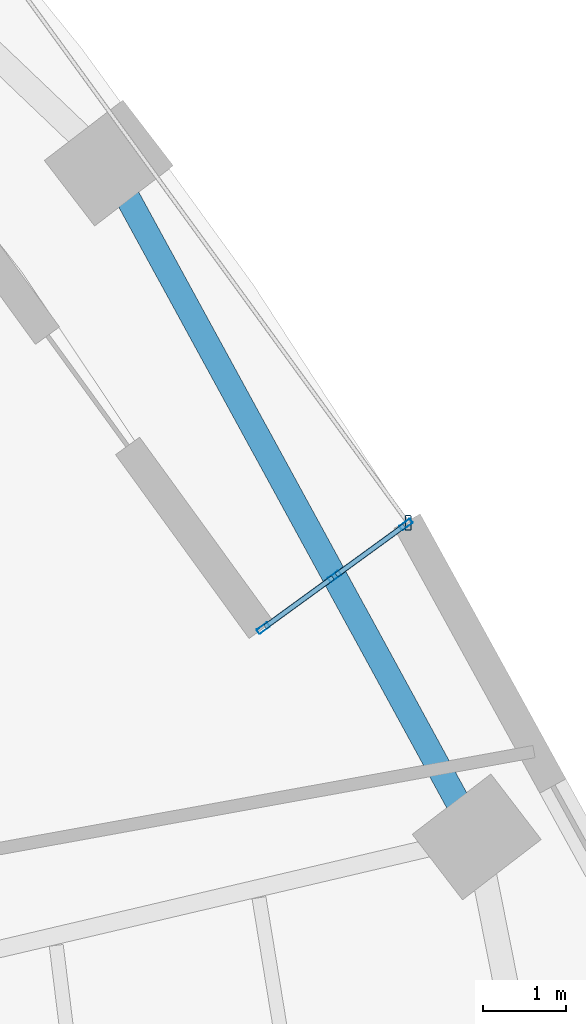
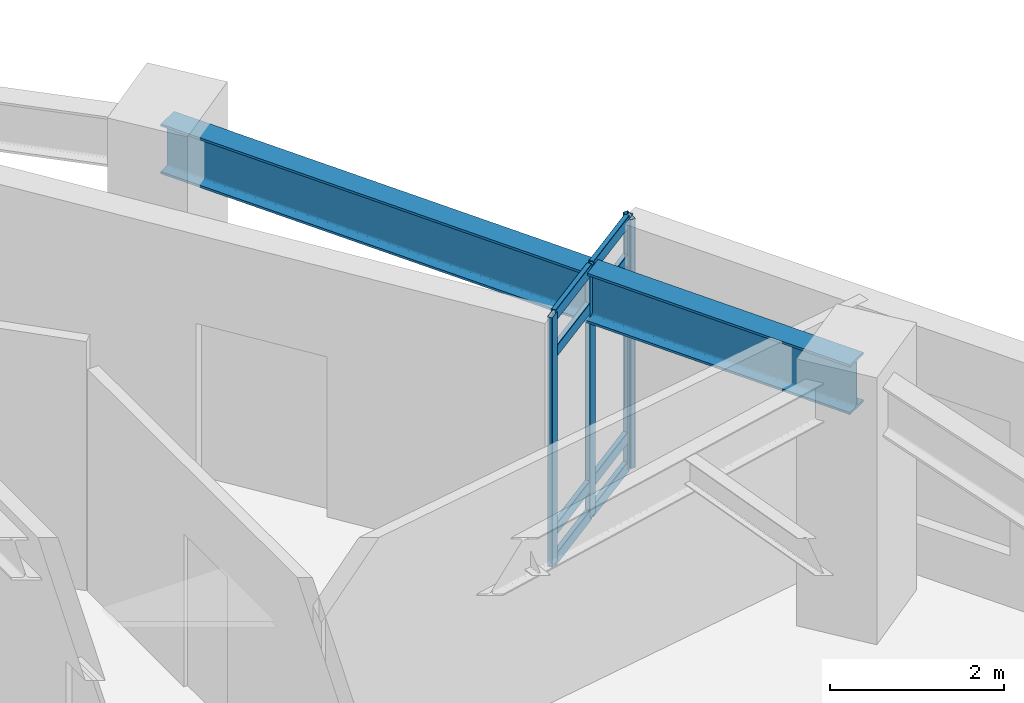
# One storey, part 4 of 15: 12 members, 1 beam, 1 element without a shape of its own.
"""IFC4 building model written with IfcOpenShell, lengths in metres."""

from ifc_helpers import new_model, si_unit, direction, frame, origin, origin_2d, place, context, subcontext, project, spatial, hollow_rectangle, i_section, extrude, material, layer, layer_set, material_profile, profile_set, type_object, element, aggregate, save


model = new_model("IFC4")

# Units and contexts
model_context = context("Model", 3, precision=1e-05, world=origin(), true_north=direction((0.0, 1.0)))
body_context = subcontext(model_context, "Body", "Model", "MODEL_VIEW")
ifc_project = project(units=[si_unit("LENGTHUNIT", "METRE"), si_unit("AREAUNIT", "SQUARE_METRE"), si_unit("VOLUMEUNIT", "CUBIC_METRE"), si_unit("PLANEANGLEUNIT", "RADIAN"), si_unit("MASSUNIT", "GRAM", prefix="KILO")], contexts=[model_context])

# Site, building, storey
site_placement = place(None, origin())
site = spatial("IfcSite", under=ifc_project, at=site_placement, CompositionType="ELEMENT")
building_placement = place(site_placement, origin())
building = spatial("IfcBuilding", under=site, at=building_placement, Name="Ndelora Gate Hotel", CompositionType="ELEMENT")
storey_placement = place(building_placement, frame((0.0, 0.0, 53.0)))
storey = spatial("IfcBuildingStorey", under=building, at=storey_placement, Name="L12", CompositionType="ELEMENT", Elevation=53.0)

# Beam
ifc_material_1 = material(Name="Steel S355", Category="steel")
ifc_material_profile_1 = material_profile(ifc_material_1, i_section(OverallWidth=0.300048828125, OverallDepth=0.699951171875, WebThickness=0.01708984375, FlangeThickness=0.031982421875, FilletRadius=0.027099609375, at=origin_2d()), Name="HEB 700")
ifc_profile_set_1 = profile_set([ifc_material_profile_1], Name="Steel S355")
beam_type = type_object("IfcBeamType", Name="BM-RING-700", PredefinedType="SPANDREL", material=ifc_profile_set_1)
beam_placement = place(storey_placement, frame((18.207275390625, 2.39697265625, 3.14990234375), z_axis=(-0.479203651005, 0.87770374322, 0.0), x_axis=(-0.87770374322, -0.479203651005, 0.0)))
element("IfcBeam", 1, at=beam_placement, inside=storey, type_object=beam_type, Name="L12 Perimeter Spandrel Girder 10", PredefinedType="SPANDREL", context=body_context, shape_type="SweptSolid", body=[
    extrude(i_section(OverallWidth=0.300048828125, OverallDepth=0.699951171875, WebThickness=0.01708984375, FlangeThickness=0.031982421875, FilletRadius=0.027099609375, at=origin_2d()), origin(), (0.0, 0.0, 1.0), 9.293212890625),
])

# Curtain wall, members
ifc_material_2 = material(Name="Bronze Anodised Unitised Aluminium and Low-E Glass", Category="aluminium")
ifc_layer = layer(ifc_material_2, 0.199951171875)
ifc_layer_set = layer_set([ifc_layer], Name="Bronze Anodised Unitised Aluminium and Low-E Glass")
curtain_wall_type = type_object("IfcCurtainWallType", Name="CW-SYS-3", PredefinedType="NOTDEFINED", material=ifc_layer_set)
curtain_wall_placement = place(storey_placement, origin())
curtain_wall = element("IfcCurtainWall", 2, at=curtain_wall_placement, inside=storey, type_object=curtain_wall_type, Name="L12 Sky-Garden Loggia Side Curtain Wall CW3-1", PredefinedType="NOTDEFINED")
ifc_material_3 = material(Name="Bronze Anodised Aluminium 6063-T6", Category="aluminium")
ifc_material_profile_2 = material_profile(ifc_material_3, hollow_rectangle(XDim=0.06494140625, YDim=0.159912109375, WallThickness=0.00390625, InnerFilletRadius=0.00390625, OuterFilletRadius=0.008056640625, at=origin_2d()), Name="ALU 160x65x4")
ifc_profile_set_2 = profile_set([ifc_material_profile_2], Name="Bronze Anodised Aluminium 6063-T6")
member_type_1 = type_object("IfcMemberType", Name="MB-CW-MUL150", PredefinedType="MULLION", material=ifc_profile_set_2)
member_1_placement = place(storey_placement, frame((15.6240234375, 4.923828125, -0.00390625), z_axis=(0.0, 0.0, 1.0), x_axis=(-0.587785135859, 0.809017078969, 0.0)))
member_1 = element("IfcMember", 3, at=member_1_placement, type_object=member_type_1, Name="CW3 mullion 1", PredefinedType="MULLION", context=body_context, shape_type="SweptSolid", body=[
    extrude(hollow_rectangle(XDim=0.06494140625, YDim=0.159912109375, WallThickness=0.00390625, InnerFilletRadius=0.00390625, OuterFilletRadius=0.008056640625, at=origin_2d()), origin(), (0.0, 0.0, 1.0), 3.5078125),
])
member_2_placement = place(storey_placement, frame((16.487548828125, 5.55126953125, -0.00390625), z_axis=(0.0, 0.0, 1.0), x_axis=(-0.587785135859, 0.809017078969, 0.0)))
member_2 = element("IfcMember", 4, at=member_2_placement, type_object=member_type_1, Name="CW3 mullion 2", PredefinedType="MULLION", context=body_context, shape_type="SweptSolid", body=[
    extrude(hollow_rectangle(XDim=0.06494140625, YDim=0.159912109375, WallThickness=0.00390625, InnerFilletRadius=0.00390625, OuterFilletRadius=0.008056640625, at=origin_2d()), origin(), (0.0, 0.0, 1.0), 3.5078125),
])
member_3_placement = place(storey_placement, frame((17.351318359375, 6.1787109375, -0.00390625), z_axis=(0.0, 0.0, 1.0), x_axis=(-0.587785135859, 0.809017078969, 0.0)))
member_3 = element("IfcMember", 5, at=member_3_placement, type_object=member_type_1, Name="CW3 mullion 3", PredefinedType="MULLION", context=body_context, shape_type="SweptSolid", body=[
    extrude(hollow_rectangle(XDim=0.06494140625, YDim=0.159912109375, WallThickness=0.00390625, InnerFilletRadius=0.00390625, OuterFilletRadius=0.008056640625, at=origin_2d()), origin(), (0.0, 0.0, 1.0), 3.5078125),
])
ifc_material_profile_3 = material_profile(ifc_material_3, hollow_rectangle(XDim=0.070068359375, YDim=0.179931640625, WallThickness=0.0048828125, InnerFilletRadius=0.0048828125, OuterFilletRadius=0.010009765625, at=origin_2d()), Name="ALU 180x70x5")
ifc_profile_set_3 = profile_set([ifc_material_profile_3], Name="Bronze Anodised Aluminium 6063-T6")
member_type_2 = type_object("IfcMemberType", Name="MB-CW-MUL180", PredefinedType="MULLION", material=ifc_profile_set_3)
member_4_placement = place(storey_placement, frame((17.37744140625, 6.197998046875, 0.0), z_axis=(0.0, 0.0, 1.0), x_axis=(1.0, 0.0, 0.0)))
member_4 = element("IfcMember", 6, at=member_4_placement, type_object=member_type_2, Name="L12 Sky-Garden Loggia Corner Mullion Post 1", PredefinedType="MULLION", context=body_context, shape_type="SweptSolid", body=[
    extrude(hollow_rectangle(XDim=0.070068359375, YDim=0.179931640625, WallThickness=0.0048828125, InnerFilletRadius=0.0048828125, OuterFilletRadius=0.010009765625, at=origin_2d()), origin(), (0.0, 0.0, 1.0), 3.5),
])
ifc_material_profile_4 = material_profile(ifc_material_3, hollow_rectangle(XDim=0.06494140625, YDim=0.159912109375, WallThickness=0.00390625, InnerFilletRadius=0.00390625, OuterFilletRadius=0.008056640625, at=origin_2d()), Name="ALU 160x65x4")
ifc_profile_set_4 = profile_set([ifc_material_profile_4], Name="Bronze Anodised Aluminium 6063-T6")
member_type_3 = type_object("IfcMemberType", Name="MB-CW-TRN150", PredefinedType="USERDEFINED", material=ifc_profile_set_4)
member_5_placement = place(storey_placement, frame((15.6455078125, 4.939453125, 0.032470703125), z_axis=(0.808892166145, 0.587957025258, 0.0), x_axis=(-0.587957025258, 0.808892166145, 0.0)))
member_5 = element("IfcMember", 7, at=member_5_placement, type_object=member_type_3, Name="CW3 transom 1.1", ObjectType="TRANSOM", PredefinedType="USERDEFINED", context=body_context, shape_type="SweptSolid", body=[
    extrude(hollow_rectangle(XDim=0.06494140625, YDim=0.159912109375, WallThickness=0.00390625, InnerFilletRadius=0.00390625, OuterFilletRadius=0.008056640625, at=origin_2d()), origin(), (0.0, 0.0, 1.0), 1.014404296875),
])
member_6_placement = place(storey_placement, frame((15.6455078125, 4.939453125, 0.449951171875), z_axis=(0.808892166145, 0.587957025258, 0.0), x_axis=(-0.587957025258, 0.808892166145, 0.0)))
member_6 = element("IfcMember", 8, at=member_6_placement, type_object=member_type_3, Name="CW3 transom 1.2", ObjectType="TRANSOM", PredefinedType="USERDEFINED", context=body_context, shape_type="SweptSolid", body=[
    extrude(hollow_rectangle(XDim=0.06494140625, YDim=0.159912109375, WallThickness=0.00390625, InnerFilletRadius=0.00390625, OuterFilletRadius=0.008056640625, at=origin_2d()), origin(), (0.0, 0.0, 1.0), 1.014404296875),
])
member_7_placement = place(storey_placement, frame((15.6455078125, 4.939453125, 2.949951171875), z_axis=(0.808892166145, 0.587957025258, 0.0), x_axis=(-0.587957025258, 0.808892166145, 0.0)))
member_7 = element("IfcMember", 9, at=member_7_placement, type_object=member_type_3, Name="CW3 transom 1.3", ObjectType="TRANSOM", PredefinedType="USERDEFINED", context=body_context, shape_type="SweptSolid", body=[
    extrude(hollow_rectangle(XDim=0.06494140625, YDim=0.159912109375, WallThickness=0.00390625, InnerFilletRadius=0.00390625, OuterFilletRadius=0.008056640625, at=origin_2d()), origin(), (0.0, 0.0, 1.0), 1.014404296875),
])
member_8_placement = place(storey_placement, frame((15.6455078125, 4.939453125, 3.467529296875), z_axis=(0.808892166145, 0.587957025258, 0.0), x_axis=(-0.587957025258, 0.808892166145, 0.0)))
member_8 = element("IfcMember", 10, at=member_8_placement, type_object=member_type_3, Name="CW3 transom 1.4", ObjectType="TRANSOM", PredefinedType="USERDEFINED", context=body_context, shape_type="SweptSolid", body=[
    extrude(hollow_rectangle(XDim=0.06494140625, YDim=0.159912109375, WallThickness=0.00390625, InnerFilletRadius=0.00390625, OuterFilletRadius=0.008056640625, at=origin_2d()), origin(), (0.0, 0.0, 1.0), 1.014404296875),
])
member_9_placement = place(storey_placement, frame((16.509033203125, 5.56689453125, 0.032470703125), z_axis=(0.808975339931, 0.587842580444, 0.0), x_axis=(-0.587842580444, 0.808975339931, 0.0)))
member_9 = element("IfcMember", 11, at=member_9_placement, type_object=member_type_3, Name="CW3 transom 2.1", ObjectType="TRANSOM", PredefinedType="USERDEFINED", context=body_context, shape_type="SweptSolid", body=[
    extrude(hollow_rectangle(XDim=0.06494140625, YDim=0.159912109375, WallThickness=0.00390625, InnerFilletRadius=0.00390625, OuterFilletRadius=0.008056640625, at=origin_2d()), origin(), (0.0, 0.0, 1.0), 1.0146484375),
])
member_10_placement = place(storey_placement, frame((16.509033203125, 5.56689453125, 0.449951171875), z_axis=(0.808975339931, 0.587842580444, 0.0), x_axis=(-0.587842580444, 0.808975339931, 0.0)))
member_10 = element("IfcMember", 12, at=member_10_placement, type_object=member_type_3, Name="CW3 transom 2.2", ObjectType="TRANSOM", PredefinedType="USERDEFINED", context=body_context, shape_type="SweptSolid", body=[
    extrude(hollow_rectangle(XDim=0.06494140625, YDim=0.159912109375, WallThickness=0.00390625, InnerFilletRadius=0.00390625, OuterFilletRadius=0.008056640625, at=origin_2d()), origin(), (0.0, 0.0, 1.0), 1.0146484375),
])
member_11_placement = place(storey_placement, frame((16.509033203125, 5.56689453125, 2.949951171875), z_axis=(0.808975339931, 0.587842580444, 0.0), x_axis=(-0.587842580444, 0.808975339931, 0.0)))
member_11 = element("IfcMember", 13, at=member_11_placement, type_object=member_type_3, Name="CW3 transom 2.3", ObjectType="TRANSOM", PredefinedType="USERDEFINED", context=body_context, shape_type="SweptSolid", body=[
    extrude(hollow_rectangle(XDim=0.06494140625, YDim=0.159912109375, WallThickness=0.00390625, InnerFilletRadius=0.00390625, OuterFilletRadius=0.008056640625, at=origin_2d()), origin(), (0.0, 0.0, 1.0), 1.0146484375),
])
member_12_placement = place(storey_placement, frame((16.509033203125, 5.56689453125, 3.467529296875), z_axis=(0.808975339931, 0.587842580444, 0.0), x_axis=(-0.587842580444, 0.808975339931, 0.0)))
member_12 = element("IfcMember", 14, at=member_12_placement, type_object=member_type_3, Name="CW3 transom 2.4", ObjectType="TRANSOM", PredefinedType="USERDEFINED", context=body_context, shape_type="SweptSolid", body=[
    extrude(hollow_rectangle(XDim=0.06494140625, YDim=0.159912109375, WallThickness=0.00390625, InnerFilletRadius=0.00390625, OuterFilletRadius=0.008056640625, at=origin_2d()), origin(), (0.0, 0.0, 1.0), 1.0146484375),
])
aggregate(curtain_wall, [member_1, member_2, member_3, member_5, member_6, member_7, member_8, member_9, member_10, member_11, member_12, member_4])

save(model, "model.ifc")
